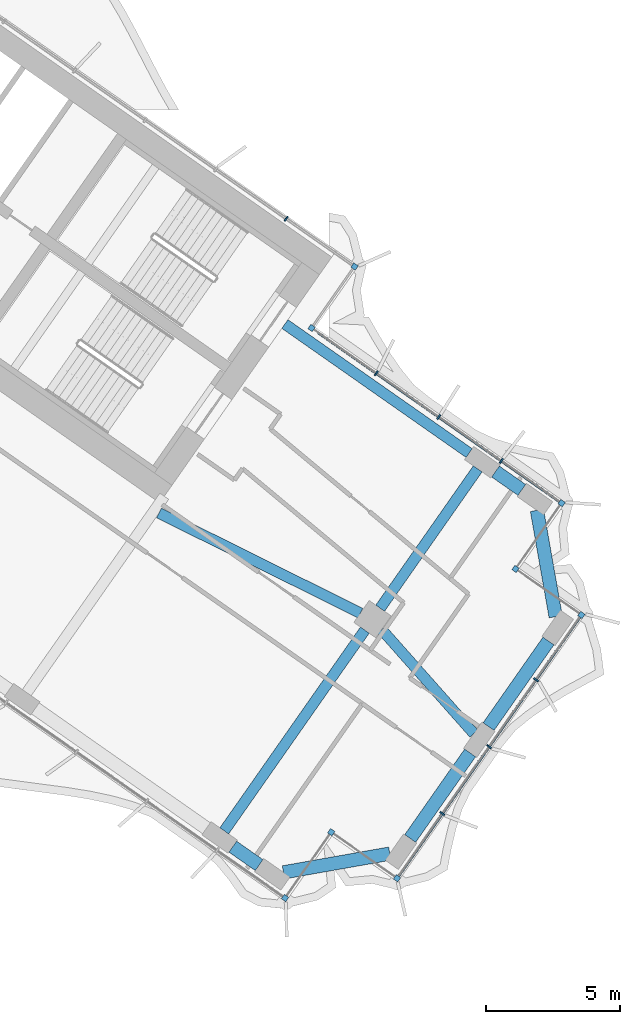
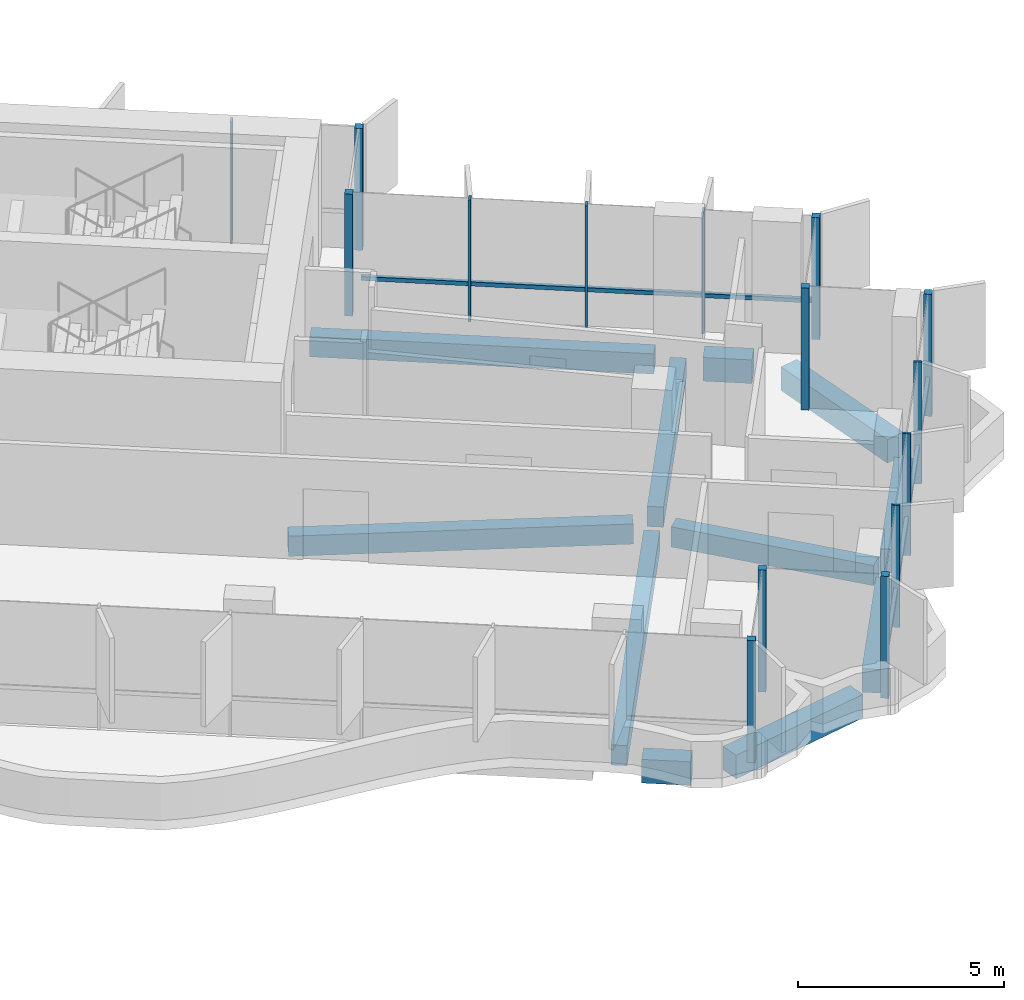
# One storey, part 9 of 21: 17 members, 11 beams, 2 elements without a shape of their own.
"""IFC4 building model written with IfcOpenShell, lengths in metres."""

from ifc_helpers import new_model, si_unit, direction, frame, origin, origin_2d, place, context, subcontext, project, spatial, rectangle, extrude, material, material_profile, profile_set, type_object, element, aggregate, save


model = new_model("IFC4")

# Units and contexts
model_context = context("Model", 3, precision=1e-05, world=origin(), true_north=direction((0.0, 1.0)))
body_context = subcontext(model_context, "Body", "Model", "MODEL_VIEW")
ifc_project = project(units=[si_unit("LENGTHUNIT", "METRE"), si_unit("AREAUNIT", "SQUARE_METRE"), si_unit("VOLUMEUNIT", "CUBIC_METRE"), si_unit("PLANEANGLEUNIT", "RADIAN"), si_unit("MASSUNIT", "GRAM", prefix="KILO")], contexts=[model_context])

# Site, building, storey
site_placement = place(None, origin())
site = spatial("IfcSite", under=ifc_project, at=site_placement, CompositionType="ELEMENT")
building_placement = place(site_placement, origin())
building = spatial("IfcBuilding", under=site, at=building_placement, Name="Tel Ilan Convention Tower", CompositionType="ELEMENT")
storey_placement = place(building_placement, frame((0.0, 0.0, 151.5)))
storey = spatial("IfcBuildingStorey", under=building, at=storey_placement, Name="L34", CompositionType="ELEMENT", Elevation=151.5)

# Beams
ifc_material_1 = material(Name="Concrete C40/50", Category="concrete")
ifc_material_profile_1 = material_profile(ifc_material_1, rectangle(XDim=0.39990234375, YDim=0.60009765625, at=origin_2d()), Name="RC 400x600")
ifc_profile_set_1 = profile_set([ifc_material_profile_1], Name="Concrete C40/50")
beam_type_1 = type_object("IfcBeamType", Name="Beam RC 400x600 Concrete C40/50", PredefinedType="BEAM", material=ifc_profile_set_1)
beam_1_placement = place(storey_placement, frame((33.09912109375, -14.44775390625, -0.580078125), z_axis=(-0.819147254605, 0.573583276668, 0.0), x_axis=(-0.573583276668, -0.819147254605, 0.0)))
element("IfcBeam", 1, at=beam_1_placement, inside=storey, type_object=beam_type_1, Name="L34 beam E-E-B4-core", PredefinedType="BEAM", context=body_context, shape_type="SweptSolid", body=[
    extrude(rectangle(XDim=0.39990234375, YDim=0.60009765625, at=origin_2d()), origin(), (0.0, 0.0, 1.0), 8.400146484375),
])
beam_2_placement = place(storey_placement, frame((21.52099609375, -16.686279296875, -0.580078125), z_axis=(0.895402365524, -0.445257907076, 0.0), x_axis=(0.445257907076, 0.895402365524, 0.0)))
element("IfcBeam", 2, at=beam_2_placement, inside=storey, type_object=beam_type_1, Name="L34 beam E-core-E-M4", PredefinedType="BEAM", context=body_context, shape_type="SweptSolid", body=[
    extrude(rectangle(XDim=0.39990234375, YDim=0.60009765625, at=origin_2d()), origin(), (0.0, 0.0, 1.0), 8.3935546875),
])
beam_3_placement = place(storey_placement, frame((29.830322265625, -21.03369140625, -0.580078125), z_axis=(0.663175252401, -0.748464150512, 0.0), x_axis=(0.748464150512, 0.663175252401, 0.0)))
element("IfcBeam", 3, at=beam_3_placement, inside=storey, type_object=beam_type_1, Name="L34 beam E-E-M4-end", PredefinedType="BEAM", context=body_context, shape_type="SweptSolid", body=[
    extrude(rectangle(XDim=0.39990234375, YDim=0.60009765625, at=origin_2d()), origin(), (0.0, 0.0, 1.0), 5.192626953125),
])
beam_4_placement = place(storey_placement, frame((29.20263671875, -21.058349609375, -0.580078125), z_axis=(-0.573557249804, -0.819165478519, 0.0), x_axis=(0.819165478519, -0.573557249804, 0.0)))
element("IfcBeam", 4, at=beam_4_placement, inside=storey, type_object=beam_type_1, Name="L34 beam E-E-M4-E-F4", PredefinedType="BEAM", context=body_context, shape_type="SweptSolid", body=[
    extrude(rectangle(XDim=0.39990234375, YDim=0.60009765625, at=origin_2d()), origin(), (0.0, 0.0, 1.0), 9.14990234375),
])
beam_5_placement = place(storey_placement, frame((29.7763671875, -20.2392578125, -0.580078125), z_axis=(0.573560394383, 0.819163276762, 0.0), x_axis=(-0.819163276762, 0.573560394383, 0.0)))
element("IfcBeam", 5, at=beam_5_placement, inside=storey, type_object=beam_type_1, Name="L34 beam E-E-M4-E-B4", PredefinedType="BEAM", context=body_context, shape_type="SweptSolid", body=[
    extrude(rectangle(XDim=0.39990234375, YDim=0.60009765625, at=origin_2d()), origin(), (0.0, 0.0, 1.0), 6.349853515625),
])
ifc_material_2 = material(Name="Concrete C40/50", Category="concrete")
ifc_material_profile_2 = material_profile(ifc_material_2, rectangle(XDim=0.5, YDim=0.699951171875, at=origin_2d()), Name="RC 500x700")
ifc_profile_set_2 = profile_set([ifc_material_profile_2], Name="Concrete C40/50")
beam_type_2 = type_object("IfcBeamType", Name="Beam RC 500x700 Concrete C40/50", PredefinedType="BEAM", material=ifc_profile_set_2)
beam_6_placement = place(storey_placement, frame((24.27392578125, -29.1435546875, -0.6298828125), z_axis=(0.819155442668, -0.573571582932, 0.0), x_axis=(0.573571582932, 0.819155442668, 0.0)))
element("IfcBeam", 6, at=beam_6_placement, inside=storey, type_object=beam_type_2, Name="L34 beam E-E-F4-E-FC", PredefinedType="BEAM", context=body_context, shape_type="SweptSolid", body=[
    extrude(rectangle(XDim=0.5, YDim=0.699951171875, at=origin_2d()), origin(), (0.0, 0.0, 1.0), 1.199951171875),
])
beam_7_placement = place(storey_placement, frame((26.166259765625, -30.102294921875, -0.6298828125), z_axis=(0.984804894423, 0.173664388751, 0.0), x_axis=(-0.173664388751, 0.984804894423, 0.0)))
element("IfcBeam", 7, at=beam_7_placement, inside=storey, type_object=beam_type_2, Name="L34 beam E-E-FC-E-E1", PredefinedType="BEAM", context=body_context, shape_type="SweptSolid", body=[
    extrude(rectangle(XDim=0.5, YDim=0.699951171875, at=origin_2d()), origin(), (0.0, 0.0, 1.0), 4.030517578125),
])
for number, where, z_axis, x_axis, name in (
    (8, (30.8974609375, -28.837158203125, -0.6298828125), (0.573609383536, 0.819128973434, 0.0), (-0.819128973434, 0.573609383536, 0.0), "L34 beam E-E-E1-E-E2"),
    (9, (33.82275390625, -24.659423828125, -0.6298828125), (0.573567378001, 0.81915838694, 0.0), (-0.81915838694, 0.573567378001, 0.0), "L34 beam E-E-E2-E-E3"),
):
    element("IfcBeam", number, at=place(storey_placement, frame(where, z_axis=z_axis, x_axis=x_axis)), inside=storey, type_object=beam_type_2, Name=name, PredefinedType="BEAM", context=body_context, shape_type="SweptSolid", body=[
        extrude(rectangle(XDim=0.5, YDim=0.699951171875, at=origin_2d()), origin(), (0.0, 0.0, 1.0), 3.89990234375),
    ])
beam_8_placement = place(storey_placement, frame((36.330078125, -20.555419921875, -0.6298828125), z_axis=(-0.173664388751, 0.984804894423, 0.0), x_axis=(-0.984804894423, -0.173664388751, 0.0)))
element("IfcBeam", 10, at=beam_8_placement, inside=storey, type_object=beam_type_2, Name="L34 beam E-E-E3-E-BC", PredefinedType="BEAM", context=body_context, shape_type="SweptSolid", body=[
    extrude(rectangle(XDim=0.5, YDim=0.699951171875, at=origin_2d()), origin(), (0.0, 0.0, 1.0), 4.030517578125),
])
beam_9_placement = place(storey_placement, frame((35.06494140625, -15.82421875, -0.6298828125), z_axis=(-0.819155442668, 0.573571582932, 0.0), x_axis=(-0.573571582932, -0.819155442668, 0.0)))
element("IfcBeam", 11, at=beam_9_placement, inside=storey, type_object=beam_type_2, Name="L34 beam E-E-BC-E-B4", PredefinedType="BEAM", context=body_context, shape_type="SweptSolid", body=[
    extrude(rectangle(XDim=0.5, YDim=0.699951171875, at=origin_2d()), origin(), (0.0, 0.0, 1.0), 1.199951171875),
])

# Curtain wall, members
ifc_material_3 = material(Name="Aluminium, bronze anodised", Category="aluminium")
curtain_wall_type_1 = type_object("IfcCurtainWallType", Name="CW2 STICK CURTAIN WALL, SPANDREL PANELS", PredefinedType="NOTDEFINED", material=ifc_material_3)
curtain_wall_1_placement = place(storey_placement, origin())
curtain_wall_1 = element("IfcCurtainWall", 12, at=curtain_wall_1_placement, inside=storey, type_object=curtain_wall_type_1, Name="Curtain wall CW2-27.01", PredefinedType="NOTDEFINED")
ifc_material_4 = material(Name="Aluminium, bronze anodised", Category="aluminium")
ifc_material_profile_3 = material_profile(ifc_material_4, rectangle(XDim=0.199951171875, YDim=0.199951171875, at=origin_2d()), Name="CW CORNER MULLION 200x200")
ifc_profile_set_3 = profile_set([ifc_material_profile_3], Name="Aluminium, bronze anodised")
member_type_1 = type_object("IfcMemberType", Name="CW CORNER MULLION 200x200", PredefinedType="MULLION", material=ifc_profile_set_3)
member_1_placement = place(storey_placement, frame((27.213623046875, -9.77734375, 0.0), z_axis=(0.0, 0.0, 1.0), x_axis=(-0.819152044289, 0.573576436351, 0.0)))
member_1 = element("IfcMember", 13, at=member_1_placement, type_object=member_type_1, Name="Corner mullion", PredefinedType="MULLION", context=body_context, shape_type="SweptSolid", body=[
    extrude(rectangle(XDim=0.199951171875, YDim=0.199951171875, at=origin_2d()), origin(), (0.0, 0.0, 1.0), 3.6201171875),
])
member_2_placement = place(storey_placement, frame((28.819580078125, -7.483642578125, 0.0), z_axis=(0.0, 0.0, 1.0), x_axis=(0.573576436351, 0.819152044289, 0.0)))
member_2 = element("IfcMember", 14, at=member_2_placement, type_object=member_type_1, Name="Corner mullion", PredefinedType="MULLION", context=body_context, shape_type="SweptSolid", body=[
    extrude(rectangle(XDim=0.199951171875, YDim=0.199951171875, at=origin_2d()), origin(), (0.0, 0.0, 1.0), 3.6201171875),
])

ifc_material_5 = material(Name="Aluminium, bronze anodised", Category="aluminium")
curtain_wall_type_2 = type_object("IfcCurtainWallType", Name="CW4 STICK CURTAIN WALL, OFFICE TINTED GLASS", PredefinedType="NOTDEFINED", material=ifc_material_5)
curtain_wall_2_placement = place(storey_placement, origin())
curtain_wall_2 = element("IfcCurtainWall", 15, at=curtain_wall_2_placement, inside=storey, type_object=curtain_wall_type_2, Name="Curtain wall CW4-27.02", PredefinedType="NOTDEFINED")
member_3_placement = place(storey_placement, frame((26.2275390625, -31.060791015625, 0.0), z_axis=(0.0, 0.0, 1.0), x_axis=(0.819152044289, -0.573576436351, 0.0)))
member_3 = element("IfcMember", 16, at=member_3_placement, type_object=member_type_1, Name="Corner mullion", PredefinedType="MULLION", context=body_context, shape_type="SweptSolid", body=[
    extrude(rectangle(XDim=0.199951171875, YDim=0.199951171875, at=origin_2d()), origin(), (0.0, 0.0, 1.0), 3.6201171875),
])
member_4_placement = place(storey_placement, frame((27.9482421875, -28.603271484375, 0.0), z_axis=(0.0, 0.0, 1.0), x_axis=(0.573576436351, 0.819152044289, 0.0)))
member_4 = element("IfcMember", 17, at=member_4_placement, type_object=member_type_1, Name="Corner mullion", PredefinedType="MULLION", context=body_context, shape_type="SweptSolid", body=[
    extrude(rectangle(XDim=0.199951171875, YDim=0.199951171875, at=origin_2d()), origin(), (0.0, 0.0, 1.0), 3.6201171875),
])
member_5_placement = place(storey_placement, frame((30.40576171875, -30.323974609375, 0.0), z_axis=(0.0, 0.0, 1.0), x_axis=(0.819152044289, -0.573576436351, 0.0)))
member_5 = element("IfcMember", 18, at=member_5_placement, type_object=member_type_1, Name="Corner mullion", PredefinedType="MULLION", context=body_context, shape_type="SweptSolid", body=[
    extrude(rectangle(XDim=0.199951171875, YDim=0.199951171875, at=origin_2d()), origin(), (0.0, 0.0, 1.0), 3.6201171875),
])
member_6_placement = place(storey_placement, frame((37.28857421875, -20.494140625, 0.0), z_axis=(0.0, 0.0, 1.0), x_axis=(0.573576436351, 0.819152044289, 0.0)))
member_6 = element("IfcMember", 19, at=member_6_placement, type_object=member_type_1, Name="Corner mullion", PredefinedType="MULLION", context=body_context, shape_type="SweptSolid", body=[
    extrude(rectangle(XDim=0.199951171875, YDim=0.199951171875, at=origin_2d()), origin(), (0.0, 0.0, 1.0), 3.6201171875),
])
member_7_placement = place(storey_placement, frame((34.8310546875, -18.7734375, 0.0), z_axis=(0.0, 0.0, 1.0), x_axis=(-0.819152044289, 0.573576436351, 0.0)))
member_7 = element("IfcMember", 20, at=member_7_placement, type_object=member_type_1, Name="Corner mullion", PredefinedType="MULLION", context=body_context, shape_type="SweptSolid", body=[
    extrude(rectangle(XDim=0.199951171875, YDim=0.199951171875, at=origin_2d()), origin(), (0.0, 0.0, 1.0), 3.6201171875),
])
member_8_placement = place(storey_placement, frame((36.5517578125, -16.31591796875, 0.0), z_axis=(0.0, 0.0, 1.0), x_axis=(0.573576436351, 0.819152044289, 0.0)))
member_8 = element("IfcMember", 21, at=member_8_placement, type_object=member_type_1, Name="Corner mullion", PredefinedType="MULLION", context=body_context, shape_type="SweptSolid", body=[
    extrude(rectangle(XDim=0.199951171875, YDim=0.199951171875, at=origin_2d()), origin(), (0.0, 0.0, 1.0), 3.6201171875),
])

# Member
ifc_material_6 = material(Name="Aluminium, bronze anodised", Category="aluminium")
ifc_material_profile_4 = material_profile(ifc_material_6, rectangle(XDim=0.06005859375, YDim=0.199951171875, at=origin_2d()), Name="CW MULLION 60x200")
ifc_profile_set_4 = profile_set([ifc_material_profile_4], Name="Aluminium, bronze anodised")
member_type_2 = type_object("IfcMemberType", Name="CW MULLION 60x200", PredefinedType="MULLION", material=ifc_profile_set_4)
member_9_placement = place(storey_placement, frame((26.268798828125, -5.697509765625, 0.0), z_axis=(0.0, 0.0, 1.0), x_axis=(-0.819152044289, 0.573576436351, 0.0)))
member_9 = element("IfcMember", 22, at=member_9_placement, type_object=member_type_2, Name="Mullion", PredefinedType="MULLION", context=body_context, shape_type="SweptSolid", body=[
    extrude(rectangle(XDim=0.06005859375, YDim=0.199951171875, at=origin_2d()), origin(), (0.0, 0.0, 1.0), 3.6201171875),
])

aggregate(curtain_wall_1, [member_1, member_2, member_9])

member_10_placement = place(storey_placement, frame((32.09765625, -27.907470703125, 0.0), z_axis=(0.0, 0.0, 1.0), x_axis=(0.573576436351, 0.819152044289, 0.0)))
member_10 = element("IfcMember", 23, at=member_10_placement, type_object=member_type_2, Name="Mullion", PredefinedType="MULLION", context=body_context, shape_type="SweptSolid", body=[
    extrude(rectangle(XDim=0.06005859375, YDim=0.199951171875, at=origin_2d()), origin(), (0.0, 0.0, 1.0), 3.6201171875),
])

member_11_placement = place(storey_placement, frame((33.84716796875, -25.4091796875, 0.0), z_axis=(0.0, 0.0, 1.0), x_axis=(0.573576436351, 0.819152044289, 0.0)))
member_11 = element("IfcMember", 24, at=member_11_placement, type_object=member_type_2, Name="Mullion", PredefinedType="MULLION", context=body_context, shape_type="SweptSolid", body=[
    extrude(rectangle(XDim=0.06005859375, YDim=0.199951171875, at=origin_2d()), origin(), (0.0, 0.0, 1.0), 3.6201171875),
])

member_12_placement = place(storey_placement, frame((35.596435546875, -22.91064453125, 0.0), z_axis=(0.0, 0.0, 1.0), x_axis=(0.573576436351, 0.819152044289, 0.0)))
member_12 = element("IfcMember", 25, at=member_12_placement, type_object=member_type_2, Name="Mullion", PredefinedType="MULLION", context=body_context, shape_type="SweptSolid", body=[
    extrude(rectangle(XDim=0.06005859375, YDim=0.199951171875, at=origin_2d()), origin(), (0.0, 0.0, 1.0), 3.6201171875),
])

member_13_placement = place(storey_placement, frame((34.299072265625, -14.73876953125, 0.0), z_axis=(0.0, 0.0, 1.0), x_axis=(-0.819152044289, 0.573576436351, 0.0)))
member_13 = element("IfcMember", 26, at=member_13_placement, type_object=member_type_2, Name="Mullion", PredefinedType="MULLION", context=body_context, shape_type="SweptSolid", body=[
    extrude(rectangle(XDim=0.06005859375, YDim=0.199951171875, at=origin_2d()), origin(), (0.0, 0.0, 1.0), 3.6201171875),
])

member_14_placement = place(storey_placement, frame((31.964599609375, -13.10400390625, 0.0), z_axis=(0.0, 0.0, 1.0), x_axis=(-0.819152044289, 0.573576436351, 0.0)))
member_14 = element("IfcMember", 27, at=member_14_placement, type_object=member_type_2, Name="Mullion", PredefinedType="MULLION", context=body_context, shape_type="SweptSolid", body=[
    extrude(rectangle(XDim=0.06005859375, YDim=0.199951171875, at=origin_2d()), origin(), (0.0, 0.0, 1.0), 3.6201171875),
])

member_15_placement = place(storey_placement, frame((29.630126953125, -11.46923828125, 0.0), z_axis=(0.0, 0.0, 1.0), x_axis=(-0.819152044289, 0.573576436351, 0.0)))
member_15 = element("IfcMember", 28, at=member_15_placement, type_object=member_type_2, Name="Mullion", PredefinedType="MULLION", context=body_context, shape_type="SweptSolid", body=[
    extrude(rectangle(XDim=0.06005859375, YDim=0.199951171875, at=origin_2d()), origin(), (0.0, 0.0, 1.0), 3.6201171875),
])

ifc_material_7 = material(Name="Aluminium, bronze anodised", Category="aluminium")
ifc_material_profile_5 = material_profile(ifc_material_7, rectangle(XDim=0.10009765625, YDim=0.1201171875, at=origin_2d()), Name="CW TRANSOM 100x120")
ifc_profile_set_5 = profile_set([ifc_material_profile_5], Name="Aluminium, bronze anodised")
member_type_3 = type_object("IfcMemberType", Name="CW TRANSOM 100x120", PredefinedType="USERDEFINED", material=ifc_profile_set_5)
member_16_placement = place(storey_placement, frame((30.463134765625, -30.2421875, 1.10009765625), z_axis=(0.573567872435, 0.819158040741, 0.0), x_axis=(-0.819158040741, 0.573567872435, 0.0)))
member_16 = element("IfcMember", 29, at=member_16_placement, type_object=member_type_3, Name="Transom", ObjectType="TRANSOM", PredefinedType="USERDEFINED", context=body_context, shape_type="SweptSolid", body=[
    extrude(rectangle(XDim=0.10009765625, YDim=0.1201171875, at=origin_2d()), origin(), (0.0, 0.0, 1.0), 11.800048828125),
])

member_17_placement = place(storey_placement, frame((36.469970703125, -16.258544921875, 1.10009765625), z_axis=(-0.819154753687, 0.57357256691, 0.0), x_axis=(-0.57357256691, -0.819154753687, 0.0)))
member_17 = element("IfcMember", 30, at=member_17_placement, type_object=member_type_3, Name="Transom", ObjectType="TRANSOM", PredefinedType="USERDEFINED", context=body_context, shape_type="SweptSolid", body=[
    extrude(rectangle(XDim=0.10009765625, YDim=0.1201171875, at=origin_2d()), origin(), (0.0, 0.0, 1.0), 11.0),
])

aggregate(curtain_wall_2, [member_3, member_4, member_5, member_10, member_11, member_12, member_6, member_16, member_7, member_8, member_13, member_14, member_15, member_17])

save(model, "model.ifc")
